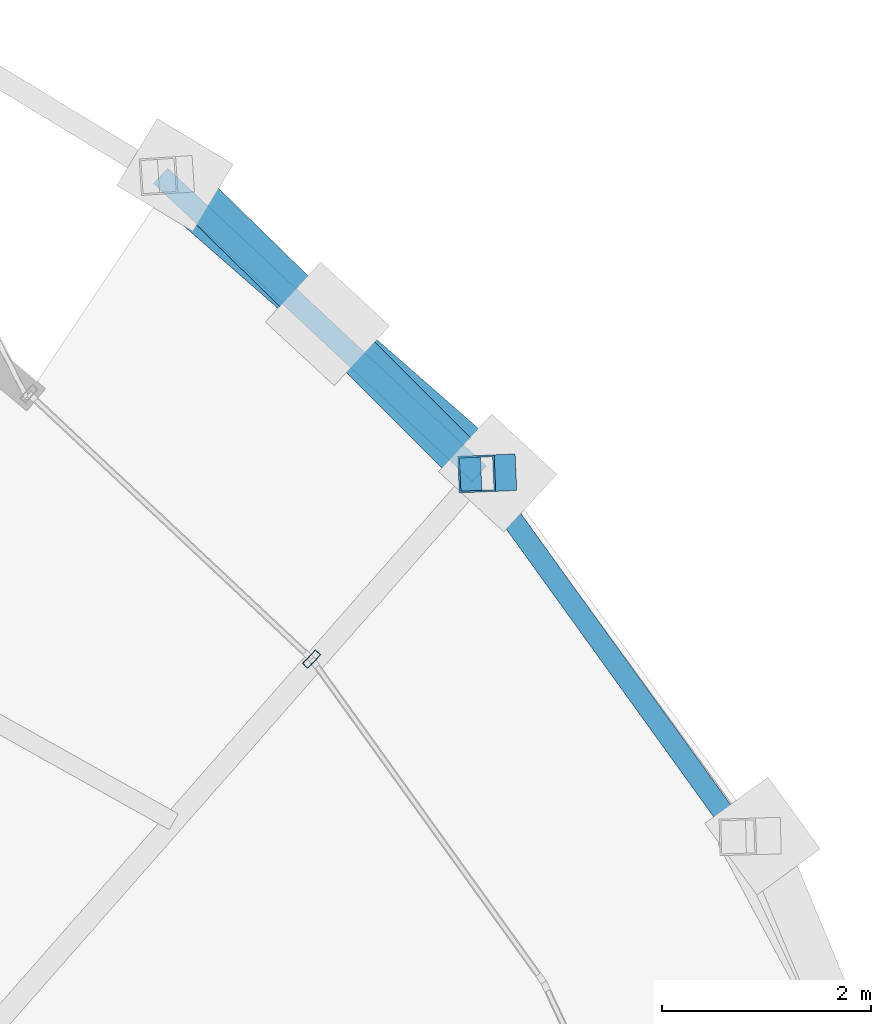
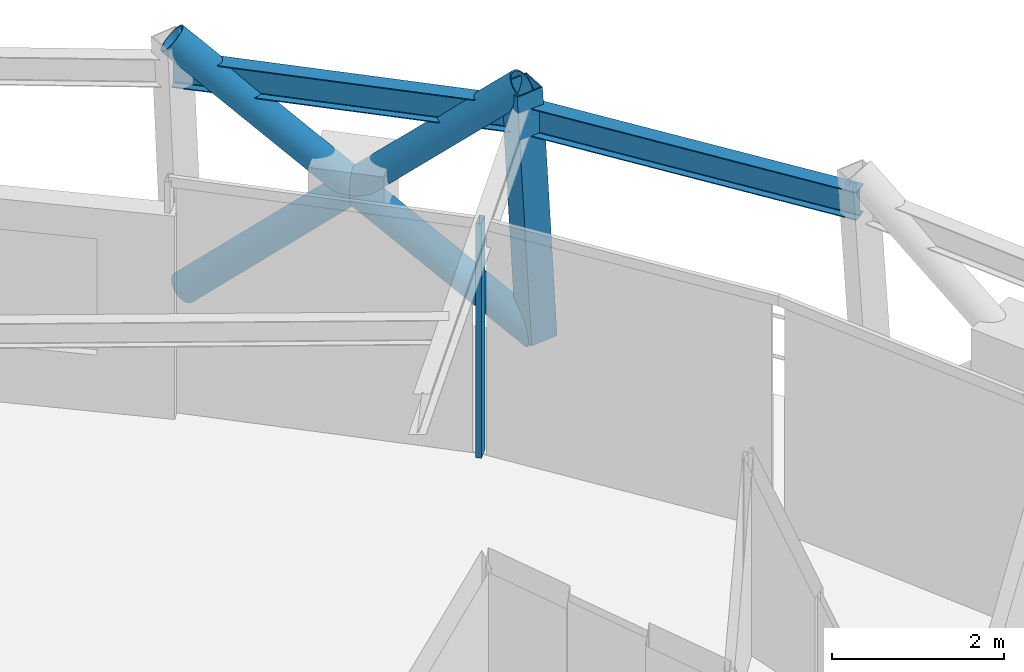
# One storey, part 9 of 16: 5 members, 2 beams, 1 element without a shape of its own.
"""IFC4 building model written with IfcOpenShell, lengths in metres."""

from ifc_helpers import new_model, si_unit, direction, frame, origin, origin_2d, place, context, subcontext, project, spatial, hollow_rectangle, hollow_circle, i_section, extrude, material, layer, layer_set, material_profile, profile_set, type_object, element, aggregate, save


model = new_model("IFC4")

# Units and contexts
model_context = context("Model", 3, precision=1e-05, world=origin(), true_north=direction((0.0, 1.0)))
body_context = subcontext(model_context, "Body", "Model", "MODEL_VIEW")
ifc_project = project(units=[si_unit("LENGTHUNIT", "METRE"), si_unit("AREAUNIT", "SQUARE_METRE"), si_unit("VOLUMEUNIT", "CUBIC_METRE"), si_unit("PLANEANGLEUNIT", "RADIAN"), si_unit("MASSUNIT", "GRAM", prefix="KILO")], contexts=[model_context])

# Site, building, storey
site_placement = place(None, origin())
site = spatial("IfcSite", under=ifc_project, at=site_placement, CompositionType="ELEMENT")
building_placement = place(site_placement, origin())
building = spatial("IfcBuilding", under=site, at=building_placement, Name="Veldorina Hangang Commons", CompositionType="ELEMENT")
storey_placement = place(building_placement, frame((0.0, 0.0, 283.199951171875)))
storey = spatial("IfcBuildingStorey", under=building, at=storey_placement, Name="L74", CompositionType="ELEMENT", Elevation=283.199951171875)

# Beams
ifc_material_1 = material(Name="Steel SM355-TMC", Category="steel")
ifc_material_profile_1 = material_profile(ifc_material_1, i_section(OverallWidth=0.199951171875, OverallDepth=0.39990234375, WebThickness=0.008056640625, FlangeThickness=0.012939453125, FilletRadius=0.012939453125, at=origin_2d()), Name="H-400x200x8x13")
ifc_profile_set_1 = profile_set([ifc_material_profile_1], Name="Steel SM355-TMC")
beam_type = type_object("IfcBeamType", Name="BM-RB400", PredefinedType="BEAM", material=ifc_profile_set_1)
beam_1_placement = place(storey_placement, frame((48.74609375, 36.74365234375, 3.16015625), z_axis=(-0.584618434939, 0.811308378811, 0.0), x_axis=(-0.811308378811, -0.584618434939, 0.0)))
element("IfcBeam", 1, at=beam_1_placement, inside=storey, type_object=beam_type, Name="L74 perimeter hoop ring beam 03", PredefinedType="BEAM", context=body_context, shape_type="SweptSolid", body=[
    extrude(i_section(OverallWidth=0.199951171875, OverallDepth=0.39990234375, WebThickness=0.008056640625, FlangeThickness=0.012939453125, FilletRadius=0.012939453125, at=origin_2d()), origin(), (0.0, 0.0, 1.0), 4.2841796875),
])
beam_2_placement = place(storey_placement, frame((46.241455078125, 40.219482421875, 3.16015625), z_axis=(-0.730577006901, 0.682830313466, 0.0), x_axis=(-0.682830313466, -0.730577006901, 0.0)))
element("IfcBeam", 2, at=beam_2_placement, inside=storey, type_object=beam_type, Name="L74 perimeter hoop ring beam 04", PredefinedType="BEAM", context=body_context, shape_type="SweptSolid", body=[
    extrude(i_section(OverallWidth=0.199951171875, OverallDepth=0.39990234375, WebThickness=0.008056640625, FlangeThickness=0.012939453125, FilletRadius=0.012939453125, at=origin_2d()), origin(), (0.0, 0.0, 1.0), 4.177490234375),
])

# Curtain wall, member
ifc_material_2 = material(Name="Glass Low-E Selective", Category="glass")
ifc_layer = layer(ifc_material_2, 0.179931640625)
ifc_layer_set = layer_set([ifc_layer], Name="Glass Low-E Selective")
curtain_wall_type = type_object("IfcCurtainWallType", Name="CW-SYS-Z3", PredefinedType="NOTDEFINED", material=ifc_layer_set)
curtain_wall_placement = place(storey_placement, origin())
curtain_wall = element("IfcCurtainWall", 3, at=curtain_wall_placement, inside=storey, type_object=curtain_wall_type, Name="L74 unitised curtain wall CW-L74-R1", PredefinedType="NOTDEFINED")
ifc_material_3 = material(Name="Aluminium Anodized AA6063-T6", Category="aluminium")
ifc_material_profile_2 = material_profile(ifc_material_3, hollow_rectangle(XDim=0.070068359375, YDim=0.179931640625, WallThickness=0.00390625, at=origin_2d()), Name="ALU-RHS-180x70x4")
ifc_profile_set_2 = profile_set([ifc_material_profile_2], Name="Aluminium Anodized AA6063-T6")
member_type_1 = type_object("IfcMemberType", Name="CW-MUL-180", PredefinedType="MULLION", material=ifc_profile_set_2)
member_1_placement = place(storey_placement, frame((44.6357421875, 38.445068359375, 0.0), z_axis=(0.0, 0.0, 1.0), x_axis=(-0.729279189979, 0.684216239989, 0.0)))
member_1 = element("IfcMember", 4, at=member_1_placement, type_object=member_type_1, Name="CW-L74-R1 vertical mullion 3", PredefinedType="MULLION", context=body_context, shape_type="SweptSolid", body=[
    extrude(hollow_rectangle(XDim=0.070068359375, YDim=0.179931640625, WallThickness=0.00390625, at=origin_2d()), origin(), (0.0, 0.0, 1.0), 3.320068359375),
])
aggregate(curtain_wall, [member_1])

# Members
ifc_material_profile_3 = material_profile(ifc_material_1, hollow_circle(Radius=0.199951171875, WallThickness=0.02001953125, at=origin_2d()), Name="CHS-400x20")
ifc_profile_set_3 = profile_set([ifc_material_profile_3], Name="Steel SM355-TMC")
member_type_2 = type_object("IfcMemberType", Name="DG-CHS400", PredefinedType="BRACE", material=ifc_profile_set_3)
member_2_placement = place(storey_placement, frame((46.417724609375, 40.22705078125, 0.0), z_axis=(-0.577767279246, 0.505926422241, 0.640486866619), x_axis=(-0.658784848468, -0.752331392027, 0.0)))
element("IfcMember", 5, at=member_2_placement, inside=storey, type_object=member_type_2, Name="L74 continuous perimeter diagrid brace 04", PredefinedType="BRACE", context=body_context, shape_type="SweptSolid", body=[
    extrude(hollow_circle(Radius=0.199951171875, WallThickness=0.02001953125, at=origin_2d()), origin(), (0.0, 0.0, 1.0), 5.620849609375),
])
member_3_placement = place(storey_placement, frame((43.327880859375, 43.0810546875, 0.0), z_axis=(0.535466654906, -0.52328678117, 0.662907539658), x_axis=(0.69892599509, 0.71519399703, 0.0)))
element("IfcMember", 6, at=member_3_placement, inside=storey, type_object=member_type_2, Name="L74 split perimeter diagrid lower brace 05", PredefinedType="BRACE", context=body_context, shape_type="SweptSolid", body=[
    extrude(hollow_circle(Radius=0.199951171875, WallThickness=0.02001953125, at=origin_2d()), origin(), (0.0, 0.0, 1.0), 2.72607421875),
])
member_4_placement = place(storey_placement, frame((44.78759765625, 41.654541015625, 1.80712890625), z_axis=(0.528328727047, -0.530765084968, 0.662689354642), x_axis=(0.708731546715, 0.70547827372, 0.0)))
element("IfcMember", 7, at=member_4_placement, inside=storey, type_object=member_type_2, Name="L74 split perimeter diagrid upper brace 05", PredefinedType="BRACE", context=body_context, shape_type="SweptSolid", body=[
    extrude(hollow_circle(Radius=0.199951171875, WallThickness=0.02001953125, at=origin_2d()), origin(), (0.0, 0.0, 1.0), 2.70556640625),
])
ifc_material_profile_4 = material_profile(ifc_material_1, hollow_rectangle(XDim=0.35009765625, YDim=0.35009765625, WallThickness=0.01611328125, at=origin_2d()), Name="SHS-350x350x16")
ifc_profile_set_4 = profile_set([ifc_material_profile_4], Name="Steel SM355-TMC")
member_type_3 = type_object("IfcMemberType", Name="STR-SHS350", PredefinedType="STRUT", material=ifc_profile_set_4)
member_5_placement = place(storey_placement, frame((46.417724609375, 40.22705078125, 0.0), z_axis=(-0.055657366642, -0.002369839212, 0.998447114974), x_axis=(0.042540530373, -0.999094741892, 0.0)))
element("IfcMember", 8, at=member_5_placement, inside=storey, type_object=member_type_3, Name="L74 perimeter ring node post 04", PredefinedType="STRUT", context=body_context, shape_type="SweptSolid", body=[
    extrude(hollow_rectangle(XDim=0.35009765625, YDim=0.35009765625, WallThickness=0.01611328125, at=origin_2d()), origin(), (0.0, 0.0, 1.0), 3.605712890625),
])

save(model, "model.ifc")
